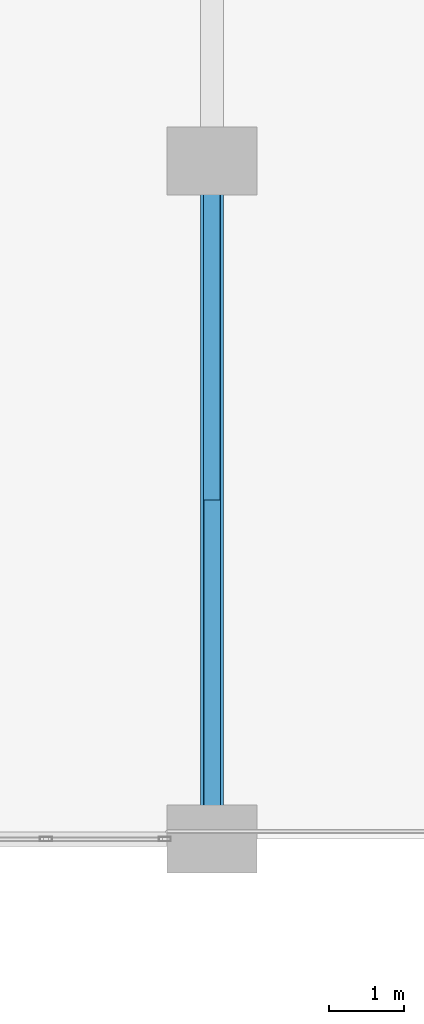
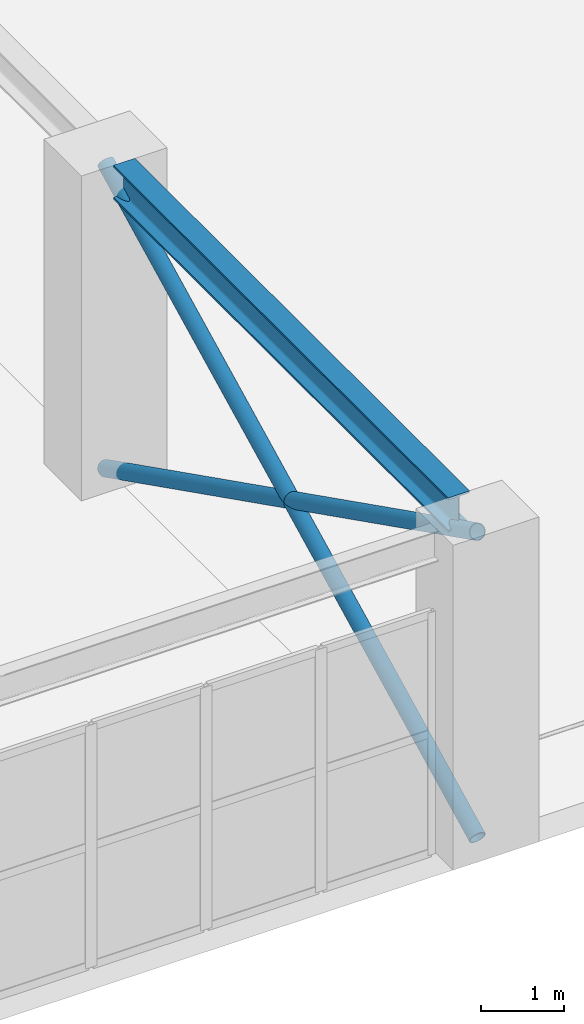
# One storey, part 11 of 89: 2 members, 1 beam.
"""IFC4 building model written with IfcOpenShell, lengths in metres."""

from ifc_helpers import new_model, si_unit, direction, frame, origin, origin_2d, place, context, subcontext, project, spatial, hollow_circle, i_section, extrude, material, material_profile, profile_set, type_object, element, save


model = new_model("IFC4")

# Units and contexts
model_context = context("Model", 3, precision=1e-05, world=origin(), true_north=direction((0.0, 1.0)))
body_context = subcontext(model_context, "Body", "Model", "MODEL_VIEW")
ifc_project = project(units=[si_unit("LENGTHUNIT", "METRE"), si_unit("AREAUNIT", "SQUARE_METRE"), si_unit("VOLUMEUNIT", "CUBIC_METRE"), si_unit("PLANEANGLEUNIT", "RADIAN"), si_unit("MASSUNIT", "GRAM", prefix="KILO")], contexts=[model_context])

# Site, building, storey
site_placement = place(None, origin())
site = spatial("IfcSite", under=ifc_project, at=site_placement, CompositionType="ELEMENT")
building_placement = place(site_placement, origin())
building = spatial("IfcBuilding", under=site, at=building_placement, Name="Dornveld Trade and Exhibition Forum", CompositionType="ELEMENT")
storey_placement = place(building_placement, frame((0.0, 0.0, 12.0)))
storey = spatial("IfcBuildingStorey", under=building, at=storey_placement, Name="L02", CompositionType="ELEMENT", Elevation=12.0)

# Beam
ifc_material_1 = material(Name="Steel S355J2", Category="steel")
ifc_material_profile_1 = material_profile(ifc_material_1, i_section(OverallWidth=0.300048828125, OverallDepth=0.5, WebThickness=0.014404296875, FlangeThickness=0.028076171875, FilletRadius=0.027099609375, at=origin_2d()), Name="HEB 500")
ifc_profile_set_1 = profile_set([ifc_material_profile_1], Name="Steel S355J2")
beam_type = type_object("IfcBeamType", Name="BM-GIR-HEB500", PredefinedType="USERDEFINED", material=ifc_profile_set_1)
beam_placement = place(storey_placement, frame((81.0, 36.446044921875, 4.550048828125), z_axis=(0.0, 1.0, 0.0), x_axis=(-1.0, 0.0, 0.0)))
element("IfcBeam", 1, at=beam_placement, inside=storey, type_object=beam_type, Name="L02 Y-girder 1456", ObjectType="GIRDER", PredefinedType="USERDEFINED", context=body_context, shape_type="SweptSolid", body=[
    extrude(i_section(OverallWidth=0.300048828125, OverallDepth=0.5, WebThickness=0.014404296875, FlangeThickness=0.028076171875, FilletRadius=0.027099609375, at=origin_2d()), origin(), (0.0, 0.0, 1.0), 8.10791015625),
])

# Members
ifc_material_2 = material(Name="Steel S355J2", Category="steel")
ifc_material_profile_2 = material_profile(ifc_material_2, hollow_circle(Radius=0.109619140625, WallThickness=0.010009765625, at=origin_2d()), Name="CHS 219.1x10")
ifc_profile_set_2 = profile_set([ifc_material_profile_2], Name="Steel S355J2")
member_type = type_object("IfcMemberType", Name="MEM-BRACE-219", PredefinedType="BRACE", material=ifc_profile_set_2)
for number, where, z_axis, x_axis, name in (
    (2, (81.0, 36.0, 0.0), (0.0, 0.893630663254, 0.448803116848), (-1.0, 0.0, 0.0), "L02 braced frame diagonal 6A"),
    (3, (81.0, 45.0, 0.0), (0.0, -0.893630663254, 0.448803116848), (1.0, 0.0, 0.0), "L02 braced frame diagonal 6B"),
):
    element("IfcMember", number, at=place(storey_placement, frame(where, z_axis=z_axis, x_axis=x_axis)), inside=storey, type_object=member_type, Name=name, PredefinedType="BRACE", context=body_context, shape_type="SweptSolid", body=[
        extrude(hollow_circle(Radius=0.109619140625, WallThickness=0.010009765625, at=origin_2d()), origin(), (0.0, 0.0, 1.0), 10.0712890625),
    ])

save(model, "model.ifc")
